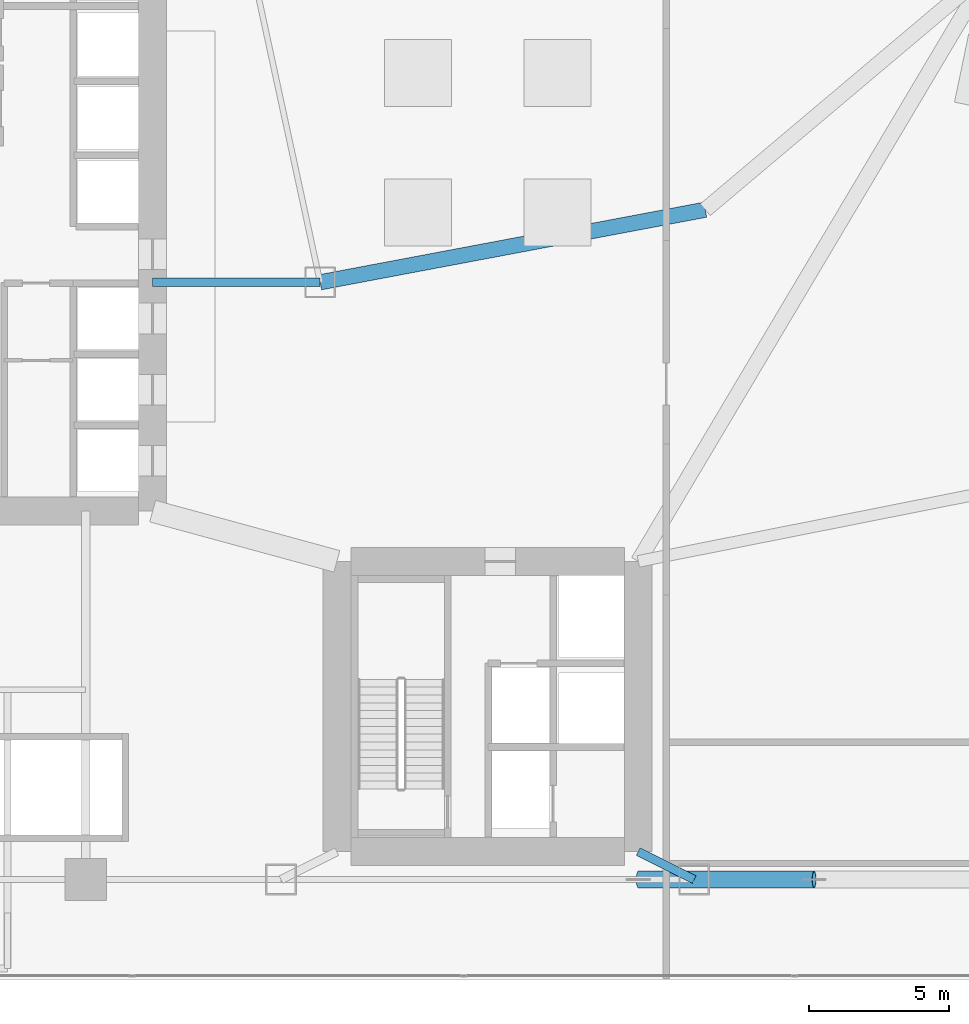
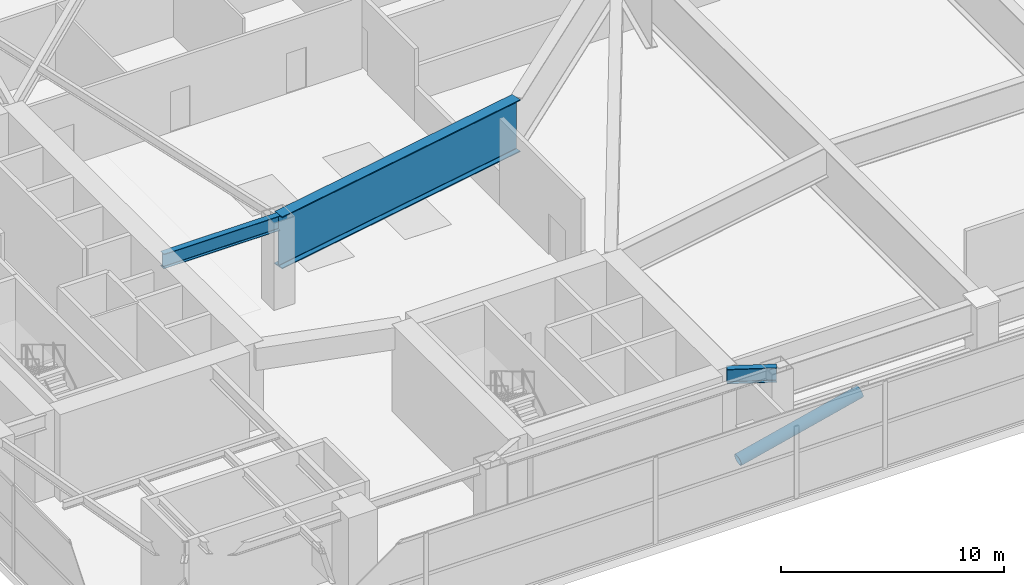
# One storey, part 10 of 36: 3 beams, 1 member.
"""IFC4 building model written with IfcOpenShell, lengths in metres."""

from ifc_helpers import new_model, si_unit, direction, frame, origin, origin_2d, place, context, subcontext, project, spatial, hollow_circle, i_section, extrude, material, material_profile, profile_set, type_object, element, save


model = new_model("IFC4")

# Units and contexts
model_context = context("Model", 3, precision=1e-05, world=origin(), true_north=direction((0.0, 1.0)))
body_context = subcontext(model_context, "Body", "Model", "MODEL_VIEW")
ifc_project = project(units=[si_unit("LENGTHUNIT", "METRE"), si_unit("AREAUNIT", "SQUARE_METRE"), si_unit("VOLUMEUNIT", "CUBIC_METRE"), si_unit("PLANEANGLEUNIT", "RADIAN"), si_unit("MASSUNIT", "GRAM", prefix="KILO")], contexts=[model_context])

# Site, building, storey
site_placement = place(None, origin())
site = spatial("IfcSite", under=ifc_project, at=site_placement, CompositionType="ELEMENT")
building_placement = place(site_placement, origin())
building = spatial("IfcBuilding", under=site, at=building_placement, Name="Calvorn Quay Hotel", CompositionType="ELEMENT")
storey_placement = place(building_placement, frame((0.0, 0.0, 22.0)))
storey = spatial("IfcBuildingStorey", under=building, at=storey_placement, Name="L04", CompositionType="ELEMENT", Elevation=22.0)

# Beams
ifc_material_1 = material(Name="Steel Q390GJC", Category="steel")
ifc_material_profile_1 = material_profile(ifc_material_1, i_section(OverallWidth=0.300048828125, OverallDepth=0.800048828125, WebThickness=0.013916015625, FlangeThickness=0.02587890625, FilletRadius=0.02392578125, at=origin_2d()), Name="HN800x300x14x26")
ifc_profile_set_1 = profile_set([ifc_material_profile_1], Name="Steel Q390GJC")
beam_type_1 = type_object("IfcBeamType", Name="BM-GIRD-POD", PredefinedType="BEAM", material=ifc_profile_set_1)
beam_1_placement = place(storey_placement, frame((21.0, 25.0, 4.340087890625), z_axis=(-1.0, 0.0, 0.0), x_axis=(0.0, -1.0, 0.0)))
element("IfcBeam", 1, at=beam_1_placement, inside=storey, type_object=beam_type_1, Name="Beam BG-L04-W7", PredefinedType="BEAM", context=body_context, shape_type="SweptSolid", body=[
    extrude(i_section(OverallWidth=0.300048828125, OverallDepth=0.800048828125, WebThickness=0.013916015625, FlangeThickness=0.02587890625, FilletRadius=0.02392578125, at=origin_2d()), origin(), (0.0, 0.0, 1.0), 6.0),
])
beam_2_placement = place(storey_placement, frame((34.39990234375, 3.60009765625, 4.340087890625), z_axis=(-0.894427191, 0.4472135955, 0.0), x_axis=(-0.4472135955, -0.894427191, 0.0)))
element("IfcBeam", 2, at=beam_2_placement, inside=storey, type_object=beam_type_1, Name="Beam BG-L04-S3", PredefinedType="BEAM", context=body_context, shape_type="SweptSolid", body=[
    extrude(i_section(OverallWidth=0.300048828125, OverallDepth=0.800048828125, WebThickness=0.013916015625, FlangeThickness=0.02587890625, FilletRadius=0.02392578125, at=origin_2d()), origin(), (0.0, 0.0, 1.0), 2.236083984375),
])
ifc_material_2 = material(Name="Steel Q420GJC", Category="steel")
ifc_material_profile_2 = material_profile(ifc_material_2, i_section(OverallWidth=0.550048828125, OverallDepth=2.85009765625, WebThickness=0.031982421875, FlangeThickness=0.050048828125, FilletRadius=0.028076171875, at=origin_2d()), Name="HW2850x550x32x50")
ifc_profile_set_2 = profile_set([ifc_material_profile_2], Name="Steel Q420GJC")
beam_type_2 = type_object("IfcBeamType", Name="BM-XFER-MEGA", PredefinedType="BEAM", material=ifc_profile_set_2)
beam_3_placement = place(storey_placement, frame((21.0, 25.0, 3.31494140625), z_axis=(0.982709432406, 0.185154452988, 0.0), x_axis=(-0.185154452988, 0.982709432406, 0.0)))
element("IfcBeam", 3, at=beam_3_placement, inside=storey, type_object=beam_type_2, Name="Beam BTG-L04-C-NC1A", PredefinedType="BEAM", context=body_context, shape_type="SweptSolid", body=[
    extrude(i_section(OverallWidth=0.550048828125, OverallDepth=2.85009765625, WebThickness=0.031982421875, FlangeThickness=0.050048828125, FilletRadius=0.028076171875, at=origin_2d()), origin(), (0.0, 0.0, 1.0), 14.04296875),
])

# Member
ifc_material_3 = material(Name="Steel Q420GJC", Category="steel")
ifc_material_profile_3 = material_profile(ifc_material_3, hollow_circle(Radius=0.300048828125, WallThickness=0.02392578125, at=origin_2d()), Name="CHS600x24")
ifc_profile_set_3 = profile_set([ifc_material_profile_3], Name="Steel Q420GJC")
member_type = type_object("IfcMemberType", Name="MEM-TRUSS-DIAG-HVY", PredefinedType="BRACE", material=ifc_profile_set_3)
member_placement = place(storey_placement, frame((32.39990234375, 3.60009765625, 0.300048828125), z_axis=(0.971398041713, 0.0, 0.237457037284), x_axis=(0.0, 1.0, 0.0)))
element("IfcMember", 4, at=member_placement, inside=storey, type_object=member_type, Name="Ballroom Warren Diagonal MTD-11A", PredefinedType="BRACE", context=body_context, shape_type="SweptSolid", body=[
    extrude(hollow_circle(Radius=0.300048828125, WallThickness=0.02392578125, at=origin_2d()), origin(), (0.0, 0.0, 1.0), 6.485595703125),
])

save(model, "model.ifc")
